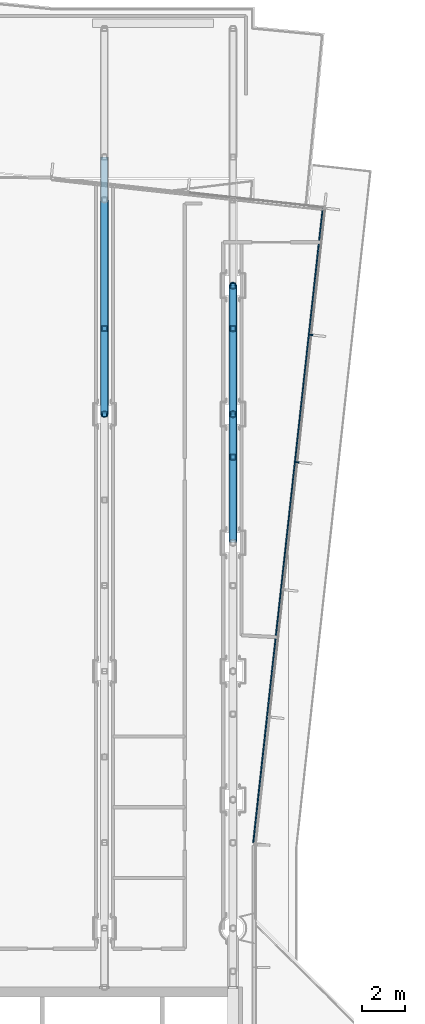
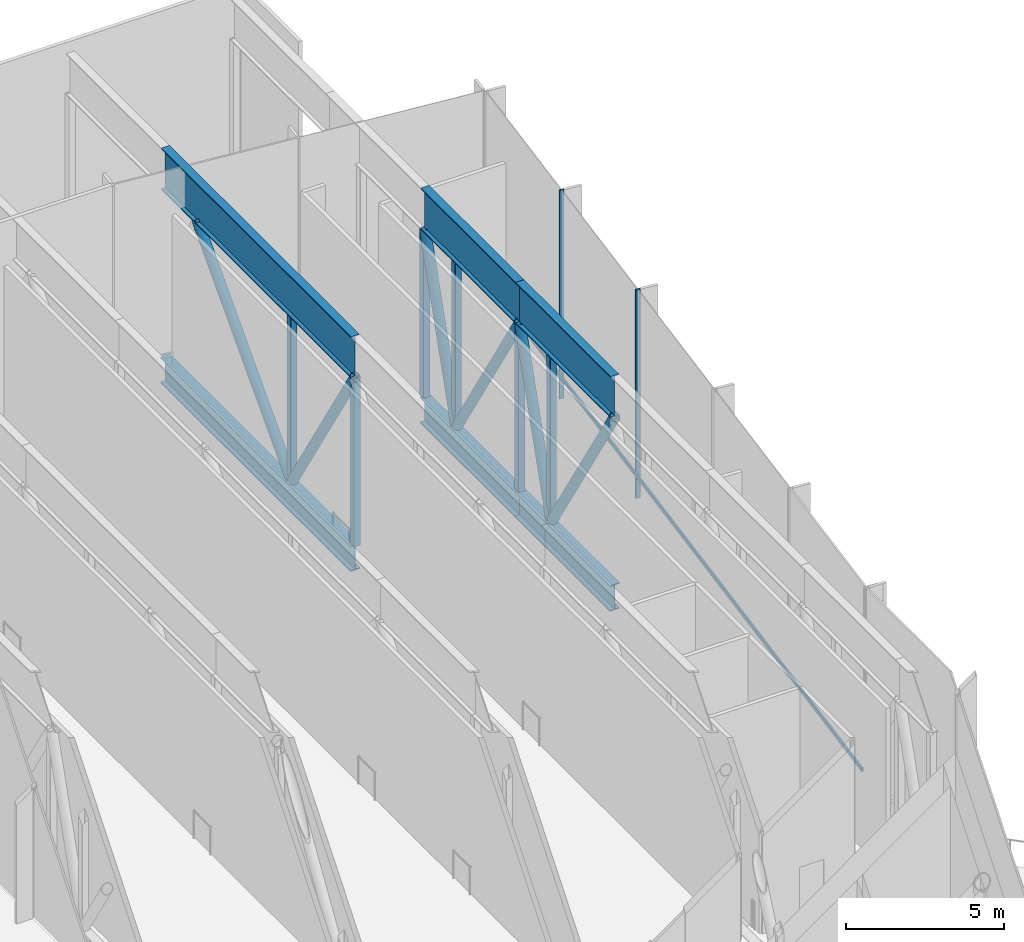
# One storey, part 8 of 21: 21 members, 1 element without a shape of its own.
"""IFC4 building model written with IfcOpenShell, lengths in metres."""

from ifc_helpers import new_model, si_unit, direction, frame, origin, origin_2d, place, context, subcontext, project, spatial, rectangle, hollow_rectangle, hollow_circle, i_section, extrude, material, layer, layer_set, material_profile, profile_set, type_object, element, aggregate, save


model = new_model("IFC4")

# Units and contexts
model_context = context("Model", 3, precision=1e-05, world=origin(), true_north=direction((0.0, 1.0)))
body_context = subcontext(model_context, "Body", "Model", "MODEL_VIEW")
ifc_project = project(units=[si_unit("LENGTHUNIT", "METRE"), si_unit("AREAUNIT", "SQUARE_METRE"), si_unit("VOLUMEUNIT", "CUBIC_METRE"), si_unit("PLANEANGLEUNIT", "RADIAN"), si_unit("MASSUNIT", "GRAM", prefix="KILO")], contexts=[model_context])

# Site, building, storey
site_placement = place(None, origin())
site = spatial("IfcSite", under=ifc_project, at=site_placement, CompositionType="ELEMENT")
building_placement = place(site_placement, origin())
building = spatial("IfcBuilding", under=site, at=building_placement, Name="Welwitschia Terrace Campus", CompositionType="ELEMENT")
storey_placement = place(building_placement, frame((0.0, 0.0, 255.800048828125)))
storey = spatial("IfcBuildingStorey", under=building, at=storey_placement, Name="L57", CompositionType="ELEMENT", Elevation=255.800048828125)

# Curtain wall, members
ifc_material_1 = material(Name="Bronze anodised aluminium", Category="aluminium")
ifc_layer = layer(ifc_material_1, 0.159912109375)
ifc_layer_set = layer_set([ifc_layer], Name="Bronze anodised aluminium")
curtain_wall_type = type_object("IfcCurtainWallType", Name="Curtain wall CW3 commons 6000", PredefinedType="NOTDEFINED", material=ifc_layer_set)
curtain_wall_placement = place(storey_placement, origin())
curtain_wall = element("IfcCurtainWall", 1, at=curtain_wall_placement, inside=storey, type_object=curtain_wall_type, Name="CW L57.4.0", PredefinedType="NOTDEFINED")
ifc_material_2 = material(Name="Bronze anodised aluminium", Category="aluminium")
ifc_material_profile_1 = material_profile(ifc_material_2, rectangle(XDim=0.159912109375, YDim=0.06005859375, at=origin_2d()))
ifc_profile_set_1 = profile_set([ifc_material_profile_1], Name="Bronze anodised aluminium")
member_type_1 = type_object("IfcMemberType", Name="Mullion 60x160", PredefinedType="MULLION", material=ifc_profile_set_1)
member_1_placement = place(storey_placement, frame((27.003173828125, 49.756103515625, 0.0), z_axis=(0.0, 0.0, 1.0), x_axis=(-0.994056338222, 0.108866874852, 0.0)))
member_1 = element("IfcMember", 2, at=member_1_placement, type_object=member_type_1, Name="Mullion L57.4.0.3", PredefinedType="MULLION", context=body_context, shape_type="SweptSolid", body=[
    extrude(rectangle(XDim=0.159912109375, YDim=0.06005859375, at=origin_2d()), origin(), (0.0, 0.0, 1.0), 8.050048828125),
])
member_2_placement = place(storey_placement, frame((27.654296875, 55.701171875, 0.0), z_axis=(0.0, 0.0, 1.0), x_axis=(-0.994056338222, 0.108866874852, 0.0)))
member_2 = element("IfcMember", 3, at=member_2_placement, type_object=member_type_1, Name="Mullion L57.4.0.4", PredefinedType="MULLION", context=body_context, shape_type="SweptSolid", body=[
    extrude(rectangle(XDim=0.159912109375, YDim=0.06005859375, at=origin_2d()), origin(), (0.0, 0.0, 1.0), 8.050048828125),
])

# Members
ifc_material_3 = material(Name="Steel S355", Category="steel")
ifc_material_profile_2 = material_profile(ifc_material_3, i_section(OverallWidth=0.35009765625, OverallDepth=1.0, WebThickness=0.02490234375, FlangeThickness=0.0400390625, at=origin_2d()))
ifc_profile_set_2 = profile_set([ifc_material_profile_2], Name="Steel S355")
member_type_2 = type_object("IfcMemberType", Name="Transfer truss C4 bottom chord WI 1000x350x25x40", PredefinedType="CHORD", material=ifc_profile_set_2)
member_3_placement = place(storey_placement, frame((18.0, 52.0, -0.5), z_axis=(0.0, 1.0, 0.0), x_axis=(-1.0, 0.0, 0.0)))
element("IfcMember", 4, at=member_3_placement, inside=storey, type_object=member_type_2, Name="Truss bottom chord", PredefinedType="CHORD", context=body_context, shape_type="SweptSolid", body=[
    extrude(i_section(OverallWidth=0.35009765625, OverallDepth=1.0, WebThickness=0.02490234375, FlangeThickness=0.0400390625, at=origin_2d()), origin(), (0.0, 0.0, 1.0), 12.0),
])
for number, where, z_axis, x_axis, name in (
    (5, (24.0, 46.0, -0.5), (0.0, 1.0, 0.0), (-1.0, 0.0, 0.0), "Truss bottom chord"),
    (6, (24.0, 52.0, -0.5), (0.0, 1.0, 0.0), (-1.0, 0.0, 0.0), "Truss bottom chord"),
):
    element("IfcMember", number, at=place(storey_placement, frame(where, z_axis=z_axis, x_axis=x_axis)), inside=storey, type_object=member_type_2, Name=name, PredefinedType="CHORD", context=body_context, shape_type="SweptSolid", body=[
        extrude(i_section(OverallWidth=0.35009765625, OverallDepth=1.0, WebThickness=0.02490234375, FlangeThickness=0.0400390625, at=origin_2d()), origin(), (0.0, 0.0, 1.0), 6.0),
    ])
ifc_material_4 = material(Name="Steel S355", Category="steel")
ifc_material_profile_3 = material_profile(ifc_material_4, hollow_circle(Radius=0.177734375, WallThickness=0.01611328125, at=origin_2d()))
ifc_profile_set_3 = profile_set([ifc_material_profile_3], Name="Steel S355")
member_type_3 = type_object("IfcMemberType", Name="Transfer truss C4 diagonal CHS 355.6x16", PredefinedType="BRACE", material=ifc_profile_set_3)
member_4_placement = place(storey_placement, frame((18.0, 56.0, 0.0), z_axis=(0.0, -0.527037721004, 0.849841891553), x_axis=(1.0, 0.0, 0.0)))
element("IfcMember", 7, at=member_4_placement, inside=storey, type_object=member_type_3, Name="Truss diagonal", PredefinedType="BRACE", context=body_context, shape_type="SweptSolid", body=[
    extrude(hollow_circle(Radius=0.177734375, WallThickness=0.01611328125, at=origin_2d()), origin(), (0.0, 0.0, 1.0), 7.589599609375),
])
member_5_placement = place(storey_placement, frame((18.0, 56.0, 0.0), z_axis=(0.0, 0.681106706671, 0.732184166811), x_axis=(-1.0, 0.0, 0.0)))
element("IfcMember", 8, at=member_5_placement, inside=storey, type_object=member_type_3, Name="Truss diagonal", PredefinedType="BRACE", context=body_context, shape_type="SweptSolid", body=[
    extrude(hollow_circle(Radius=0.177734375, WallThickness=0.01611328125, at=origin_2d()), origin(), (0.0, 0.0, 1.0), 8.80908203125),
])
member_6_placement = place(storey_placement, frame((24.0, 50.0, 0.0), z_axis=(0.0, -0.527037721004, 0.849841891553), x_axis=(1.0, 0.0, 0.0)))
element("IfcMember", 9, at=member_6_placement, inside=storey, type_object=member_type_3, Name="Truss diagonal", PredefinedType="BRACE", context=body_context, shape_type="SweptSolid", body=[
    extrude(hollow_circle(Radius=0.177734375, WallThickness=0.01611328125, at=origin_2d()), origin(), (0.0, 0.0, 1.0), 7.589599609375),
])
member_7_placement = place(storey_placement, frame((24.0, 50.0, 0.0), z_axis=(0.0, 0.296168365803, 0.955135749042), x_axis=(-1.0, 0.0, 0.0)))
element("IfcMember", 10, at=member_7_placement, inside=storey, type_object=member_type_3, Name="Truss diagonal", PredefinedType="BRACE", context=body_context, shape_type="SweptSolid", body=[
    extrude(hollow_circle(Radius=0.177734375, WallThickness=0.01611328125, at=origin_2d()), origin(), (0.0, 0.0, 1.0), 6.7529296875),
])
member_8_placement = place(storey_placement, frame((24.0, 56.0, 0.0), z_axis=(0.0, -0.527037721004, 0.849841891553), x_axis=(1.0, 0.0, 0.0)))
element("IfcMember", 11, at=member_8_placement, inside=storey, type_object=member_type_3, Name="Truss diagonal", PredefinedType="BRACE", context=body_context, shape_type="SweptSolid", body=[
    extrude(hollow_circle(Radius=0.177734375, WallThickness=0.01611328125, at=origin_2d()), origin(), (0.0, 0.0, 1.0), 7.589599609375),
])
member_9_placement = place(storey_placement, frame((24.0, 56.0, 0.0), z_axis=(0.0, 0.296168365803, 0.955135749042), x_axis=(-1.0, 0.0, 0.0)))
element("IfcMember", 12, at=member_9_placement, inside=storey, type_object=member_type_3, Name="Truss diagonal", PredefinedType="BRACE", context=body_context, shape_type="SweptSolid", body=[
    extrude(hollow_circle(Radius=0.177734375, WallThickness=0.01611328125, at=origin_2d()), origin(), (0.0, 0.0, 1.0), 6.7529296875),
])
ifc_material_5 = material(Name="Steel S355", Category="steel")
ifc_material_profile_4 = material_profile(ifc_material_5, hollow_rectangle(XDim=0.25, YDim=0.25, WallThickness=0.013916015625, InnerFilletRadius=0.013916015625, OuterFilletRadius=0.02099609375, at=origin_2d()))
ifc_profile_set_4 = profile_set([ifc_material_profile_4], Name="Steel S355")
member_type_4 = type_object("IfcMemberType", Name="Transfer truss C4 post SHS 250x250x14", PredefinedType="POST", material=ifc_profile_set_4)
for number, where, z_axis, x_axis, name in (
    (13, (18.0, 52.0, 0.0), (0.0, 0.0, 1.0), (1.0, 0.0, 0.0), "Truss post"),
    (14, (18.0, 56.0, 0.0), (0.0, 0.0, 1.0), (1.0, 0.0, 0.0), "Truss post"),
    (15, (24.0, 50.0, 0.0), (0.0, 0.0, 1.0), (1.0, 0.0, 0.0), "Truss post"),
    (16, (24.0, 52.0, 0.0), (0.0, 0.0, 1.0), (1.0, 0.0, 0.0), "Truss post"),
    (17, (24.0, 56.0, 0.0), (0.0, 0.0, 1.0), (1.0, 0.0, 0.0), "Truss post"),
    (18, (24.0, 58.0, 0.0), (0.0, 0.0, 1.0), (1.0, 0.0, 0.0), "Truss post"),
):
    element("IfcMember", number, at=place(storey_placement, frame(where, z_axis=z_axis, x_axis=x_axis)), inside=storey, type_object=member_type_4, Name=name, PredefinedType="POST", context=body_context, shape_type="SweptSolid", body=[
        extrude(hollow_rectangle(XDim=0.25, YDim=0.25, WallThickness=0.013916015625, InnerFilletRadius=0.013916015625, OuterFilletRadius=0.02099609375, at=origin_2d()), origin(), (0.0, 0.0, 1.0), 6.449951171875),
    ])
ifc_material_6 = material(Name="Steel S355", Category="steel")
ifc_material_profile_5 = material_profile(ifc_material_6, i_section(OverallWidth=0.300048828125, OverallDepth=1.60009765625, WebThickness=0.02490234375, FlangeThickness=0.0400390625, at=origin_2d()))
ifc_profile_set_5 = profile_set([ifc_material_profile_5], Name="Steel S355")
member_type_5 = type_object("IfcMemberType", Name="Transfer truss C4 top chord WI 1600x300x25x40", PredefinedType="CHORD", material=ifc_profile_set_5)
member_10_placement = place(storey_placement, frame((18.0, 52.0, 7.25), z_axis=(0.0, 1.0, 0.0), x_axis=(-1.0, 0.0, 0.0)))
element("IfcMember", 19, at=member_10_placement, inside=storey, type_object=member_type_5, Name="Truss top chord", PredefinedType="CHORD", context=body_context, shape_type="SweptSolid", body=[
    extrude(i_section(OverallWidth=0.300048828125, OverallDepth=1.60009765625, WebThickness=0.02490234375, FlangeThickness=0.0400390625, at=origin_2d()), origin(), (0.0, 0.0, 1.0), 12.0),
])
for number, where, z_axis, x_axis, name in (
    (20, (24.0, 46.0, 7.25), (0.0, 1.0, 0.0), (-1.0, 0.0, 0.0), "Truss top chord"),
    (21, (24.0, 52.0, 7.25), (0.0, 1.0, 0.0), (-1.0, 0.0, 0.0), "Truss top chord"),
):
    element("IfcMember", number, at=place(storey_placement, frame(where, z_axis=z_axis, x_axis=x_axis)), inside=storey, type_object=member_type_5, Name=name, PredefinedType="CHORD", context=body_context, shape_type="SweptSolid", body=[
        extrude(i_section(OverallWidth=0.300048828125, OverallDepth=1.60009765625, WebThickness=0.02490234375, FlangeThickness=0.0400390625, at=origin_2d()), origin(), (0.0, 0.0, 1.0), 6.0),
    ])

# Member
ifc_material_7 = material(Name="Bronze anodised aluminium", Category="aluminium")
ifc_material_profile_6 = material_profile(ifc_material_7, rectangle(XDim=0.06005859375, YDim=0.14990234375, at=origin_2d()))
ifc_profile_set_6 = profile_set([ifc_material_profile_6], Name="Bronze anodised aluminium")
member_type_6 = type_object("IfcMemberType", Name="Transom 60x150", PredefinedType="USERDEFINED", material=ifc_profile_set_6)
member_11_placement = place(storey_placement, frame((24.947265625, 31.99267578125, 1.0), z_axis=(0.108861387475, 0.994056939172, 0.0), x_axis=(-0.994056939172, 0.108861387475, 0.0)))
member_11 = element("IfcMember", 22, at=member_11_placement, type_object=member_type_6, Name="Transom L57.4.0", ObjectType="TRANSOM", PredefinedType="USERDEFINED", context=body_context, shape_type="SweptSolid", body=[
    extrude(rectangle(XDim=0.06005859375, YDim=0.14990234375, at=origin_2d()), origin(), (0.0, 0.0, 1.0), 29.78271484375),
])

aggregate(curtain_wall, [member_1, member_2, member_11])

save(model, "model.ifc")
